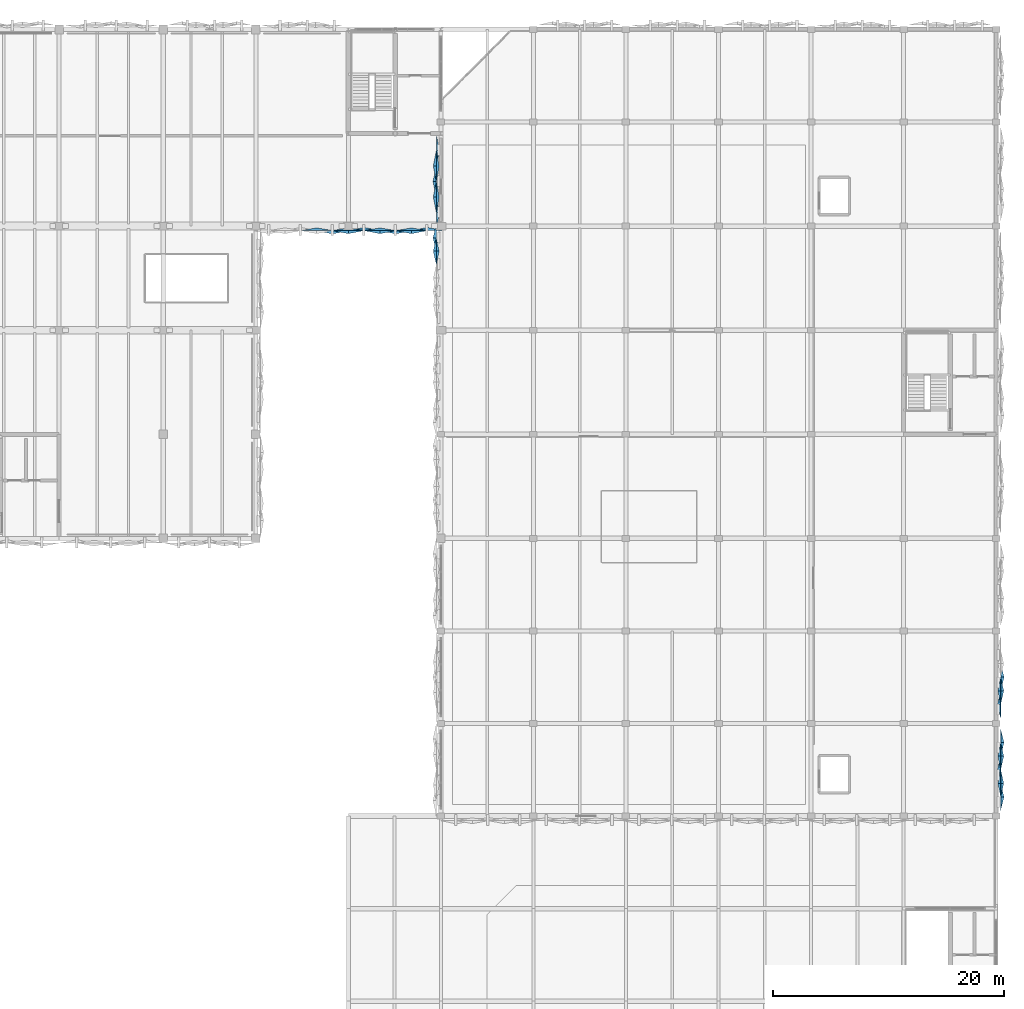
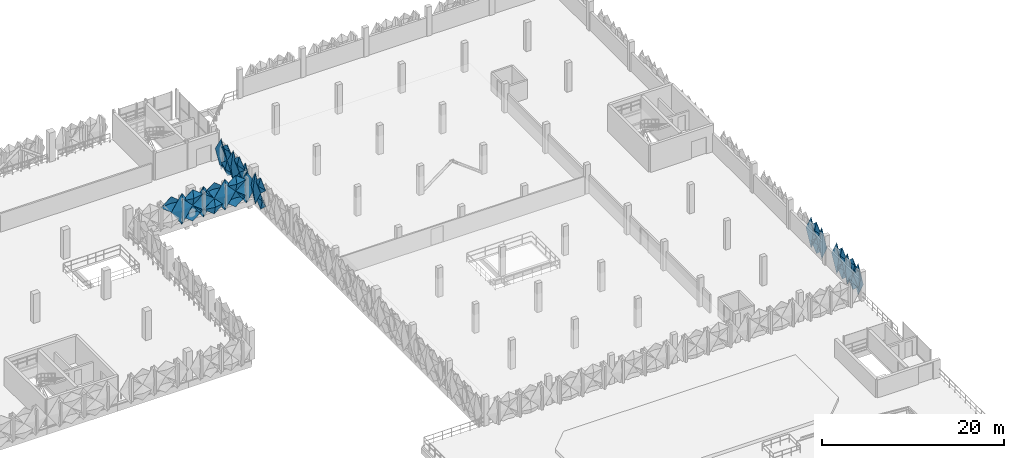
# One storey, part 60 of 76: 32 plates.
"""IFC4 building model written with IfcOpenShell, lengths in metres."""

from ifc_helpers import new_model, si_unit, derived_unit, direction, frame, origin, place, context, subcontext, project, spatial, polygons, material, layer, layer_set, type_object, element, save


model = new_model("IFC4")

# Units and contexts
model_context = context("Model", 3, precision=1e-05, world=origin(), true_north=direction((0.0, 1.0)))
body_context = subcontext(model_context, "Body", "Model", "MODEL_VIEW")
ifc_project = project(units=[si_unit("LENGTHUNIT", "METRE"), si_unit("AREAUNIT", "SQUARE_METRE"), si_unit("VOLUMEUNIT", "CUBIC_METRE"), si_unit("PLANEANGLEUNIT", "RADIAN"), si_unit("MASSUNIT", "GRAM", prefix="KILO"), si_unit("THERMODYNAMICTEMPERATUREUNIT", "KELVIN"), derived_unit("THERMALTRANSMITTANCEUNIT", [(si_unit("POWERUNIT", "WATT"), 1), (si_unit("AREAUNIT", "SQUARE_METRE"), -1), (si_unit("THERMODYNAMICTEMPERATUREUNIT", "KELVIN"), -1)])], contexts=[model_context])

# Site, building, storey
site_placement = place(None, origin())
site = spatial("IfcSite", under=ifc_project, at=site_placement, CompositionType="ELEMENT")
building_placement = place(site_placement, origin())
building = spatial("IfcBuilding", under=site, at=building_placement, Name="Haiyu Intermodal Mobility Hub", CompositionType="ELEMENT")
storey_placement = place(building_placement, frame((0.0, 0.0, 17.300048828125)))
storey = spatial("IfcBuildingStorey", under=building, at=storey_placement, Name="L04", CompositionType="ELEMENT", Elevation=17.300048828125)

# Plates
ifc_material = material(Name="Anodised aluminium 6063-T6", Category="aluminium")
ifc_layer_1 = layer(ifc_material, 0.01806640625)
ifc_layer_set_1 = layer_set([ifc_layer_1], Name="Anodised aluminium 6063-T6")
plate_type_1 = type_object("IfcPlateType", Name="PLT-FC01", PredefinedType="USERDEFINED", material=ifc_layer_set_1)
plate_1_placement = place(storey_placement, origin())
element("IfcPlate", 1, at=plate_1_placement, inside=storey, type_object=plate_type_1, Name="PLT-PYR-1274", ObjectType="FACADE CASSETTE", PredefinedType="USERDEFINED", context=body_context, shape_type="Tessellation", body=[
    polygons([(210.39990234375, 81.653076171875, -0.510009765625), (210.39990234375, 82.806884765625, 1.599853515625), (210.39990234375, 81.653076171875, 3.7099609375), (210.39990234375, 80.5, 1.599853515625), (210.679931640625, 81.653076171875, 1.599853515625), (210.3779296875, 81.653076171875, -0.510009765625), (210.3779296875, 82.806884765625, 1.599853515625), (210.3779296875, 81.653076171875, 3.7099609375), (210.3779296875, 80.5, 1.599853515625), (210.657958984375, 81.653076171875, 1.599853515625)], [[[1, 2, 5]], [[2, 3, 5]], [[3, 4, 5]], [[4, 1, 5]], [[7, 6, 10]], [[8, 7, 10]], [[9, 8, 10]], [[6, 9, 10]], [[1, 6, 7, 2]], [[2, 7, 8, 3]], [[3, 8, 9, 4]], [[4, 9, 6, 1]]], closed=True),
])
plate_2_placement = place(storey_placement, origin())
element("IfcPlate", 2, at=plate_2_placement, inside=storey, type_object=plate_type_1, Name="PLT-PYR-1278", ObjectType="FACADE CASSETTE", PredefinedType="USERDEFINED", context=body_context, shape_type="Tessellation", body=[
    polygons([(210.39990234375, 85.173095703125, -0.52001953125), (210.39990234375, 86.326904296875, 0.530029296875), (210.39990234375, 85.173095703125, 1.579833984375), (210.39990234375, 84.02001953125, 0.530029296875), (210.659912109375, 85.173095703125, 0.530029296875), (210.3779296875, 85.173095703125, -0.52001953125), (210.3779296875, 86.326904296875, 0.530029296875), (210.3779296875, 85.173095703125, 1.579833984375), (210.3779296875, 84.02001953125, 0.530029296875), (210.637939453125, 85.173095703125, 0.530029296875)], [[[1, 2, 5]], [[2, 3, 5]], [[3, 4, 5]], [[4, 1, 5]], [[7, 6, 10]], [[8, 7, 10]], [[9, 8, 10]], [[6, 9, 10]], [[1, 6, 7, 2]], [[2, 7, 8, 3]], [[3, 8, 9, 4]], [[4, 9, 6, 1]]], closed=True),
])
plate_3_placement = place(storey_placement, origin())
element("IfcPlate", 3, at=plate_3_placement, inside=storey, type_object=plate_type_1, Name="PLT-PYR-1282", ObjectType="FACADE CASSETTE", PredefinedType="USERDEFINED", context=body_context, shape_type="Tessellation", body=[
    polygons([(210.39990234375, 90.826904296875, -0.52001953125), (210.39990234375, 91.97998046875, 0.530029296875), (210.39990234375, 90.826904296875, 1.579833984375), (210.39990234375, 89.673095703125, 0.530029296875), (210.659912109375, 90.826904296875, 0.530029296875), (210.3779296875, 90.826904296875, -0.52001953125), (210.3779296875, 91.97998046875, 0.530029296875), (210.3779296875, 90.826904296875, 1.579833984375), (210.3779296875, 89.673095703125, 0.530029296875), (210.637939453125, 90.826904296875, 0.530029296875)], [[[1, 2, 5]], [[2, 3, 5]], [[3, 4, 5]], [[4, 1, 5]], [[7, 6, 10]], [[8, 7, 10]], [[9, 8, 10]], [[6, 9, 10]], [[1, 6, 7, 2]], [[2, 7, 8, 3]], [[3, 8, 9, 4]], [[4, 9, 6, 1]]], closed=True),
])
plate_4_placement = place(storey_placement, origin())
element("IfcPlate", 4, at=plate_4_placement, inside=storey, type_object=plate_type_1, Name="PLT-PYR-2002", ObjectType="FACADE CASSETTE", PredefinedType="USERDEFINED", context=body_context, shape_type="Tessellation", body=[
    polygons([(161.60009765625, 129.988037109375, -0.510009765625), (161.60009765625, 128.844970703125, 1.599853515625), (161.60009765625, 129.988037109375, 3.7099609375), (161.60009765625, 131.1298828125, 1.599853515625), (161.320068359375, 129.988037109375, 1.599853515625), (161.6220703125, 129.988037109375, -0.510009765625), (161.6220703125, 128.844970703125, 1.599853515625), (161.6220703125, 129.988037109375, 3.7099609375), (161.6220703125, 131.1298828125, 1.599853515625), (161.342041015625, 129.988037109375, 1.599853515625)], [[[1, 2, 5]], [[2, 3, 5]], [[3, 4, 5]], [[4, 1, 5]], [[7, 6, 10]], [[8, 7, 10]], [[9, 8, 10]], [[6, 9, 10]], [[1, 6, 7, 2]], [[2, 7, 8, 3]], [[3, 8, 9, 4]], [[4, 9, 6, 1]]], closed=True),
])
plate_5_placement = place(storey_placement, origin())
element("IfcPlate", 5, at=plate_5_placement, inside=storey, type_object=plate_type_1, Name="PLT-PYR-2013", ObjectType="FACADE CASSETTE", PredefinedType="USERDEFINED", context=body_context, shape_type="Tessellation", body=[
    polygons([(161.60009765625, 136.18310546875, -0.52001953125), (161.60009765625, 134.8701171875, 0.530029296875), (161.60009765625, 136.18310546875, 1.579833984375), (161.60009765625, 137.4970703125, 0.530029296875), (161.340087890625, 136.18310546875, 0.530029296875), (161.6220703125, 136.18310546875, -0.52001953125), (161.6220703125, 134.8701171875, 0.530029296875), (161.6220703125, 136.18310546875, 1.579833984375), (161.6220703125, 137.4970703125, 0.530029296875), (161.362060546875, 136.18310546875, 0.530029296875)], [[[1, 2, 5]], [[2, 3, 5]], [[3, 4, 5]], [[4, 1, 5]], [[7, 6, 10]], [[8, 7, 10]], [[9, 8, 10]], [[6, 9, 10]], [[1, 6, 7, 2]], [[2, 7, 8, 3]], [[3, 8, 9, 4]], [[4, 9, 6, 1]]], closed=True),
])
plate_6_placement = place(storey_placement, origin())
element("IfcPlate", 6, at=plate_6_placement, inside=storey, type_object=plate_type_1, Name="PLT-PYR-2413", ObjectType="FACADE CASSETTE", PredefinedType="USERDEFINED", context=body_context, shape_type="Tessellation", body=[
    polygons([(156.73291015625, 130.60009765625, -0.52001953125), (158.080078125, 130.60009765625, 0.530029296875), (156.73291015625, 130.60009765625, 1.579833984375), (155.386962890625, 130.60009765625, 0.530029296875), (156.73291015625, 130.340087890625, 0.530029296875), (156.73291015625, 130.6220703125, -0.52001953125), (158.080078125, 130.6220703125, 0.530029296875), (156.73291015625, 130.6220703125, 1.579833984375), (155.386962890625, 130.6220703125, 0.530029296875), (156.73291015625, 130.362060546875, 0.530029296875)], [[[1, 2, 5]], [[2, 3, 5]], [[3, 4, 5]], [[4, 1, 5]], [[7, 6, 10]], [[8, 7, 10]], [[9, 8, 10]], [[6, 9, 10]], [[1, 6, 7, 2]], [[2, 7, 8, 3]], [[3, 8, 9, 4]], [[4, 9, 6, 1]]], closed=True),
])
plate_7_placement = place(storey_placement, origin())
element("IfcPlate", 7, at=plate_7_placement, inside=storey, type_object=plate_type_1, Name="PLT-PYR-2415", ObjectType="FACADE CASSETTE", PredefinedType="USERDEFINED", context=body_context, shape_type="Tessellation", body=[
    polygons([(158.10009765625, 130.60009765625, -0.510009765625), (159.447021484375, 130.60009765625, 1.599853515625), (158.10009765625, 130.60009765625, 3.7099609375), (156.7529296875, 130.60009765625, 1.599853515625), (158.10009765625, 130.320068359375, 1.599853515625), (158.10009765625, 130.6220703125, -0.510009765625), (159.447021484375, 130.6220703125, 1.599853515625), (158.10009765625, 130.6220703125, 3.7099609375), (156.7529296875, 130.6220703125, 1.599853515625), (158.10009765625, 130.342041015625, 1.599853515625)], [[[1, 2, 5]], [[2, 3, 5]], [[3, 4, 5]], [[4, 1, 5]], [[7, 6, 10]], [[8, 7, 10]], [[9, 8, 10]], [[6, 9, 10]], [[1, 6, 7, 2]], [[2, 7, 8, 3]], [[3, 8, 9, 4]], [[4, 9, 6, 1]]], closed=True),
])
ifc_layer_2 = layer(ifc_material, 0.02001953125)
ifc_layer_set_2 = layer_set([ifc_layer_2], Name="Anodised aluminium 6063-T6")
plate_type_2 = type_object("IfcPlateType", Name="PLT-FC02", PredefinedType="USERDEFINED", material=ifc_layer_set_2)
plate_8_placement = place(storey_placement, origin())
element("IfcPlate", 8, at=plate_8_placement, inside=storey, type_object=plate_type_2, Name="PLT-PYR-1275", ObjectType="FACADE CASSETTE", PredefinedType="USERDEFINED", context=body_context, shape_type="Tessellation", body=[
    polygons([(210.39990234375, 82.826904296875, -0.52001953125), (210.39990234375, 83.97998046875, 0.530029296875), (210.39990234375, 82.826904296875, 1.579833984375), (210.39990234375, 81.673095703125, 0.530029296875), (210.179931640625, 82.826904296875, 0.530029296875), (210.3779296875, 82.826904296875, -0.52001953125), (210.3779296875, 83.97998046875, 0.530029296875), (210.3779296875, 82.826904296875, 1.579833984375), (210.3779296875, 81.673095703125, 0.530029296875), (210.157958984375, 82.826904296875, 0.530029296875)], [[[1, 2, 5]], [[2, 3, 5]], [[3, 4, 5]], [[4, 1, 5]], [[7, 6, 10]], [[8, 7, 10]], [[9, 8, 10]], [[6, 9, 10]], [[1, 6, 7, 2]], [[2, 7, 8, 3]], [[3, 8, 9, 4]], [[4, 9, 6, 1]]], closed=True),
])
plate_9_placement = place(storey_placement, origin())
element("IfcPlate", 9, at=plate_9_placement, inside=storey, type_object=plate_type_2, Name="PLT-PYR-1281", ObjectType="FACADE CASSETTE", PredefinedType="USERDEFINED", context=body_context, shape_type="Tessellation", body=[
    polygons([(210.39990234375, 89.653076171875, -0.510009765625), (210.39990234375, 90.806884765625, 1.599853515625), (210.39990234375, 89.653076171875, 3.7099609375), (210.39990234375, 88.5, 1.599853515625), (210.139892578125, 89.653076171875, 1.599853515625), (210.3779296875, 89.653076171875, -0.510009765625), (210.3779296875, 90.806884765625, 1.599853515625), (210.3779296875, 89.653076171875, 3.7099609375), (210.3779296875, 88.5, 1.599853515625), (210.117919921875, 89.653076171875, 1.599853515625)], [[[1, 2, 5]], [[2, 3, 5]], [[3, 4, 5]], [[4, 1, 5]], [[7, 6, 10]], [[8, 7, 10]], [[9, 8, 10]], [[6, 9, 10]], [[1, 6, 7, 2]], [[2, 7, 8, 3]], [[3, 8, 9, 4]], [[4, 9, 6, 1]]], closed=True),
])
plate_10_placement = place(storey_placement, origin())
element("IfcPlate", 10, at=plate_10_placement, inside=storey, type_object=plate_type_2, Name="PLT-PYR-2003", ObjectType="FACADE CASSETTE", PredefinedType="USERDEFINED", context=body_context, shape_type="Tessellation", body=[
    polygons([(161.60009765625, 128.824951171875, -0.52001953125), (161.60009765625, 127.681884765625, 0.530029296875), (161.60009765625, 128.824951171875, 1.579833984375), (161.60009765625, 129.968017578125, 0.530029296875), (161.820068359375, 128.824951171875, 0.530029296875), (161.6220703125, 128.824951171875, -0.52001953125), (161.6220703125, 127.681884765625, 0.530029296875), (161.6220703125, 128.824951171875, 1.579833984375), (161.6220703125, 129.968017578125, 0.530029296875), (161.842041015625, 128.824951171875, 0.530029296875)], [[[1, 2, 5]], [[2, 3, 5]], [[3, 4, 5]], [[4, 1, 5]], [[7, 6, 10]], [[8, 7, 10]], [[9, 8, 10]], [[6, 9, 10]], [[1, 6, 7, 2]], [[2, 7, 8, 3]], [[3, 8, 9, 4]], [[4, 9, 6, 1]]], closed=True),
])
plate_11_placement = place(storey_placement, origin())
element("IfcPlate", 11, at=plate_11_placement, inside=storey, type_object=plate_type_2, Name="PLT-PYR-2012", ObjectType="FACADE CASSETTE", PredefinedType="USERDEFINED", context=body_context, shape_type="Tessellation", body=[
    polygons([(161.60009765625, 137.51708984375, -0.510009765625), (161.60009765625, 136.202880859375, 1.599853515625), (161.60009765625, 137.51708984375, 3.7099609375), (161.60009765625, 138.830078125, 1.599853515625), (161.860107421875, 137.51708984375, 1.599853515625), (161.6220703125, 137.51708984375, -0.510009765625), (161.6220703125, 136.202880859375, 1.599853515625), (161.6220703125, 137.51708984375, 3.7099609375), (161.6220703125, 138.830078125, 1.599853515625), (161.882080078125, 137.51708984375, 1.599853515625)], [[[1, 2, 5]], [[2, 3, 5]], [[3, 4, 5]], [[4, 1, 5]], [[7, 6, 10]], [[8, 7, 10]], [[9, 8, 10]], [[6, 9, 10]], [[1, 6, 7, 2]], [[2, 7, 8, 3]], [[3, 8, 9, 4]], [[4, 9, 6, 1]]], closed=True),
])
plate_12_placement = place(storey_placement, origin())
element("IfcPlate", 12, at=plate_12_placement, inside=storey, type_object=plate_type_2, Name="PLT-PYR-2016", ObjectType="FACADE CASSETTE", PredefinedType="USERDEFINED", context=body_context, shape_type="Tessellation", body=[
    polygons([(161.60009765625, 133.51708984375, -0.52001953125), (161.60009765625, 132.202880859375, 0.530029296875), (161.60009765625, 133.51708984375, 1.579833984375), (161.60009765625, 134.830078125, 0.530029296875), (161.820068359375, 133.51708984375, 0.530029296875), (161.6220703125, 133.51708984375, -0.52001953125), (161.6220703125, 132.202880859375, 0.530029296875), (161.6220703125, 133.51708984375, 1.579833984375), (161.6220703125, 134.830078125, 0.530029296875), (161.842041015625, 133.51708984375, 0.530029296875)], [[[1, 2, 5]], [[2, 3, 5]], [[3, 4, 5]], [[4, 1, 5]], [[7, 6, 10]], [[8, 7, 10]], [[9, 8, 10]], [[6, 9, 10]], [[1, 6, 7, 2]], [[2, 7, 8, 3]], [[3, 8, 9, 4]], [[4, 9, 6, 1]]], closed=True),
])
plate_13_placement = place(storey_placement, origin())
element("IfcPlate", 13, at=plate_13_placement, inside=storey, type_object=plate_type_2, Name="PLT-PYR-2410", ObjectType="FACADE CASSETTE", PredefinedType="USERDEFINED", context=body_context, shape_type="Tessellation", body=[
    polygons([(154.0, 130.60009765625, -0.52001953125), (155.346923828125, 130.60009765625, 0.530029296875), (154.0, 130.60009765625, 1.579833984375), (152.653076171875, 130.60009765625, 0.530029296875), (154.0, 130.820068359375, 0.530029296875), (154.0, 130.6220703125, -0.52001953125), (155.346923828125, 130.6220703125, 0.530029296875), (154.0, 130.6220703125, 1.579833984375), (152.653076171875, 130.6220703125, 0.530029296875), (154.0, 130.842041015625, 0.530029296875)], [[[1, 2, 5]], [[2, 3, 5]], [[3, 4, 5]], [[4, 1, 5]], [[7, 6, 10]], [[8, 7, 10]], [[9, 8, 10]], [[6, 9, 10]], [[1, 6, 7, 2]], [[2, 7, 8, 3]], [[3, 8, 9, 4]], [[4, 9, 6, 1]]], closed=True),
])
plate_14_placement = place(storey_placement, origin())
element("IfcPlate", 14, at=plate_14_placement, inside=storey, type_object=plate_type_2, Name="PLT-PYR-2416", ObjectType="FACADE CASSETTE", PredefinedType="USERDEFINED", context=body_context, shape_type="Tessellation", body=[
    polygons([(159.467041015625, 130.60009765625, -0.52001953125), (160.81298828125, 130.60009765625, 0.530029296875), (159.467041015625, 130.60009765625, 1.579833984375), (158.1201171875, 130.60009765625, 0.530029296875), (159.467041015625, 130.820068359375, 0.530029296875), (159.467041015625, 130.6220703125, -0.52001953125), (160.81298828125, 130.6220703125, 0.530029296875), (159.467041015625, 130.6220703125, 1.579833984375), (158.1201171875, 130.6220703125, 0.530029296875), (159.467041015625, 130.842041015625, 0.530029296875)], [[[1, 2, 5]], [[2, 3, 5]], [[3, 4, 5]], [[4, 1, 5]], [[7, 6, 10]], [[8, 7, 10]], [[9, 8, 10]], [[6, 9, 10]], [[1, 6, 7, 2]], [[2, 7, 8, 3]], [[3, 8, 9, 4]], [[4, 9, 6, 1]]], closed=True),
])
ifc_layer_3 = layer(ifc_material, 0.01806640625)
ifc_layer_set_3 = layer_set([ifc_layer_3], Name="Anodised aluminium 6063-T6")
plate_type_3 = type_object("IfcPlateType", Name="PLT-FC03", PredefinedType="USERDEFINED", material=ifc_layer_set_3)
plate_15_placement = place(storey_placement, origin())
element("IfcPlate", 15, at=plate_15_placement, inside=storey, type_object=plate_type_3, Name="PLT-PYR-1276", ObjectType="FACADE CASSETTE", PredefinedType="USERDEFINED", context=body_context, shape_type="Tessellation", body=[
    polygons([(210.39990234375, 82.826904296875, 1.619873046875), (210.39990234375, 83.97998046875, 2.669921875), (210.39990234375, 82.826904296875, 3.719970703125), (210.39990234375, 81.673095703125, 2.669921875), (210.659912109375, 82.826904296875, 2.669921875), (210.3779296875, 82.826904296875, 1.619873046875), (210.3779296875, 83.97998046875, 2.669921875), (210.3779296875, 82.826904296875, 3.719970703125), (210.3779296875, 81.673095703125, 2.669921875), (210.637939453125, 82.826904296875, 2.669921875)], [[[1, 2, 5]], [[2, 3, 5]], [[3, 4, 5]], [[4, 1, 5]], [[7, 6, 10]], [[8, 7, 10]], [[9, 8, 10]], [[6, 9, 10]], [[1, 6, 7, 2]], [[2, 7, 8, 3]], [[3, 8, 9, 4]], [[4, 9, 6, 1]]], closed=True),
])
plate_16_placement = place(storey_placement, origin())
element("IfcPlate", 16, at=plate_16_placement, inside=storey, type_object=plate_type_3, Name="PLT-PYR-1284", ObjectType="FACADE CASSETTE", PredefinedType="USERDEFINED", context=body_context, shape_type="Tessellation", body=[
    polygons([(210.39990234375, 92.0, -0.510009765625), (210.39990234375, 93.153076171875, 1.599853515625), (210.39990234375, 92.0, 3.7099609375), (210.39990234375, 90.846923828125, 1.599853515625), (210.679931640625, 92.0, 1.599853515625), (210.3779296875, 92.0, -0.510009765625), (210.3779296875, 93.153076171875, 1.599853515625), (210.3779296875, 92.0, 3.7099609375), (210.3779296875, 90.846923828125, 1.599853515625), (210.657958984375, 92.0, 1.599853515625)], [[[1, 2, 5]], [[2, 3, 5]], [[3, 4, 5]], [[4, 1, 5]], [[7, 6, 10]], [[8, 7, 10]], [[9, 8, 10]], [[6, 9, 10]], [[1, 6, 7, 2]], [[2, 7, 8, 3]], [[3, 8, 9, 4]], [[4, 9, 6, 1]]], closed=True),
])
plate_17_placement = place(storey_placement, origin())
element("IfcPlate", 17, at=plate_17_placement, inside=storey, type_object=plate_type_3, Name="PLT-PYR-2004", ObjectType="FACADE CASSETTE", PredefinedType="USERDEFINED", context=body_context, shape_type="Tessellation", body=[
    polygons([(161.60009765625, 128.824951171875, 1.619873046875), (161.60009765625, 127.681884765625, 2.669921875), (161.60009765625, 128.824951171875, 3.719970703125), (161.60009765625, 129.968017578125, 2.669921875), (161.340087890625, 128.824951171875, 2.669921875), (161.6220703125, 128.824951171875, 1.619873046875), (161.6220703125, 127.681884765625, 2.669921875), (161.6220703125, 128.824951171875, 3.719970703125), (161.6220703125, 129.968017578125, 2.669921875), (161.362060546875, 128.824951171875, 2.669921875)], [[[1, 2, 5]], [[2, 3, 5]], [[3, 4, 5]], [[4, 1, 5]], [[7, 6, 10]], [[8, 7, 10]], [[9, 8, 10]], [[6, 9, 10]], [[1, 6, 7, 2]], [[2, 7, 8, 3]], [[3, 8, 9, 4]], [[4, 9, 6, 1]]], closed=True),
])
plate_18_placement = place(storey_placement, origin())
element("IfcPlate", 18, at=plate_18_placement, inside=storey, type_object=plate_type_3, Name="PLT-PYR-2015", ObjectType="FACADE CASSETTE", PredefinedType="USERDEFINED", context=body_context, shape_type="Tessellation", body=[
    polygons([(161.60009765625, 134.85009765625, -0.510009765625), (161.60009765625, 133.537109375, 1.599853515625), (161.60009765625, 134.85009765625, 3.7099609375), (161.60009765625, 136.1630859375, 1.599853515625), (161.320068359375, 134.85009765625, 1.599853515625), (161.6220703125, 134.85009765625, -0.510009765625), (161.6220703125, 133.537109375, 1.599853515625), (161.6220703125, 134.85009765625, 3.7099609375), (161.6220703125, 136.1630859375, 1.599853515625), (161.342041015625, 134.85009765625, 1.599853515625)], [[[1, 2, 5]], [[2, 3, 5]], [[3, 4, 5]], [[4, 1, 5]], [[7, 6, 10]], [[8, 7, 10]], [[9, 8, 10]], [[6, 9, 10]], [[1, 6, 7, 2]], [[2, 7, 8, 3]], [[3, 8, 9, 4]], [[4, 9, 6, 1]]], closed=True),
])
plate_19_placement = place(storey_placement, origin())
element("IfcPlate", 19, at=plate_19_placement, inside=storey, type_object=plate_type_3, Name="PLT-PYR-2017", ObjectType="FACADE CASSETTE", PredefinedType="USERDEFINED", context=body_context, shape_type="Tessellation", body=[
    polygons([(161.60009765625, 133.51708984375, 1.619873046875), (161.60009765625, 132.202880859375, 2.669921875), (161.60009765625, 133.51708984375, 3.719970703125), (161.60009765625, 134.830078125, 2.669921875), (161.340087890625, 133.51708984375, 2.669921875), (161.6220703125, 133.51708984375, 1.619873046875), (161.6220703125, 132.202880859375, 2.669921875), (161.6220703125, 133.51708984375, 3.719970703125), (161.6220703125, 134.830078125, 2.669921875), (161.362060546875, 133.51708984375, 2.669921875)], [[[1, 2, 5]], [[2, 3, 5]], [[3, 4, 5]], [[4, 1, 5]], [[7, 6, 10]], [[8, 7, 10]], [[9, 8, 10]], [[6, 9, 10]], [[1, 6, 7, 2]], [[2, 7, 8, 3]], [[3, 8, 9, 4]], [[4, 9, 6, 1]]], closed=True),
])
plate_20_placement = place(storey_placement, origin())
element("IfcPlate", 20, at=plate_20_placement, inside=storey, type_object=plate_type_3, Name="PLT-PYR-2411", ObjectType="FACADE CASSETTE", PredefinedType="USERDEFINED", context=body_context, shape_type="Tessellation", body=[
    polygons([(154.0, 130.60009765625, 1.619873046875), (155.346923828125, 130.60009765625, 2.669921875), (154.0, 130.60009765625, 3.719970703125), (152.653076171875, 130.60009765625, 2.669921875), (154.0, 130.340087890625, 2.669921875), (154.0, 130.6220703125, 1.619873046875), (155.346923828125, 130.6220703125, 2.669921875), (154.0, 130.6220703125, 3.719970703125), (152.653076171875, 130.6220703125, 2.669921875), (154.0, 130.362060546875, 2.669921875)], [[[1, 2, 5]], [[2, 3, 5]], [[3, 4, 5]], [[4, 1, 5]], [[7, 6, 10]], [[8, 7, 10]], [[9, 8, 10]], [[6, 9, 10]], [[1, 6, 7, 2]], [[2, 7, 8, 3]], [[3, 8, 9, 4]], [[4, 9, 6, 1]]], closed=True),
])
plate_21_placement = place(storey_placement, origin())
element("IfcPlate", 21, at=plate_21_placement, inside=storey, type_object=plate_type_3, Name="PLT-PYR-2417", ObjectType="FACADE CASSETTE", PredefinedType="USERDEFINED", context=body_context, shape_type="Tessellation", body=[
    polygons([(159.467041015625, 130.60009765625, 1.619873046875), (160.81298828125, 130.60009765625, 2.669921875), (159.467041015625, 130.60009765625, 3.719970703125), (158.1201171875, 130.60009765625, 2.669921875), (159.467041015625, 130.340087890625, 2.669921875), (159.467041015625, 130.6220703125, 1.619873046875), (160.81298828125, 130.6220703125, 2.669921875), (159.467041015625, 130.6220703125, 3.719970703125), (158.1201171875, 130.6220703125, 2.669921875), (159.467041015625, 130.362060546875, 2.669921875)], [[[1, 2, 5]], [[2, 3, 5]], [[3, 4, 5]], [[4, 1, 5]], [[7, 6, 10]], [[8, 7, 10]], [[9, 8, 10]], [[6, 9, 10]], [[1, 6, 7, 2]], [[2, 7, 8, 3]], [[3, 8, 9, 4]], [[4, 9, 6, 1]]], closed=True),
])
ifc_layer_4 = layer(ifc_material, 0.02001953125)
ifc_layer_set_4 = layer_set([ifc_layer_4], Name="Anodised aluminium 6063-T6")
plate_type_4 = type_object("IfcPlateType", Name="PLT-FC04", PredefinedType="USERDEFINED", material=ifc_layer_set_4)
plate_22_placement = place(storey_placement, origin())
element("IfcPlate", 22, at=plate_22_placement, inside=storey, type_object=plate_type_4, Name="PLT-PYR-1277", ObjectType="FACADE CASSETTE", PredefinedType="USERDEFINED", context=body_context, shape_type="Tessellation", body=[
    polygons([(210.39990234375, 84.0, -0.510009765625), (210.39990234375, 85.153076171875, 1.599853515625), (210.39990234375, 84.0, 3.7099609375), (210.39990234375, 82.846923828125, 1.599853515625), (210.139892578125, 84.0, 1.599853515625), (210.3779296875, 84.0, -0.510009765625), (210.3779296875, 85.153076171875, 1.599853515625), (210.3779296875, 84.0, 3.7099609375), (210.3779296875, 82.846923828125, 1.599853515625), (210.117919921875, 84.0, 1.599853515625)], [[[1, 2, 5]], [[2, 3, 5]], [[3, 4, 5]], [[4, 1, 5]], [[7, 6, 10]], [[8, 7, 10]], [[9, 8, 10]], [[6, 9, 10]], [[1, 6, 7, 2]], [[2, 7, 8, 3]], [[3, 8, 9, 4]], [[4, 9, 6, 1]]], closed=True),
])
plate_23_placement = place(storey_placement, origin())
element("IfcPlate", 23, at=plate_23_placement, inside=storey, type_object=plate_type_4, Name="PLT-PYR-1279", ObjectType="FACADE CASSETTE", PredefinedType="USERDEFINED", context=body_context, shape_type="Tessellation", body=[
    polygons([(210.39990234375, 85.173095703125, 1.619873046875), (210.39990234375, 86.326904296875, 2.669921875), (210.39990234375, 85.173095703125, 3.719970703125), (210.39990234375, 84.02001953125, 2.669921875), (210.179931640625, 85.173095703125, 2.669921875), (210.3779296875, 85.173095703125, 1.619873046875), (210.3779296875, 86.326904296875, 2.669921875), (210.3779296875, 85.173095703125, 3.719970703125), (210.3779296875, 84.02001953125, 2.669921875), (210.157958984375, 85.173095703125, 2.669921875)], [[[1, 2, 5]], [[2, 3, 5]], [[3, 4, 5]], [[4, 1, 5]], [[7, 6, 10]], [[8, 7, 10]], [[9, 8, 10]], [[6, 9, 10]], [[1, 6, 7, 2]], [[2, 7, 8, 3]], [[3, 8, 9, 4]], [[4, 9, 6, 1]]], closed=True),
])
plate_24_placement = place(storey_placement, origin())
element("IfcPlate", 24, at=plate_24_placement, inside=storey, type_object=plate_type_4, Name="PLT-PYR-1283", ObjectType="FACADE CASSETTE", PredefinedType="USERDEFINED", context=body_context, shape_type="Tessellation", body=[
    polygons([(210.39990234375, 90.826904296875, 1.619873046875), (210.39990234375, 91.97998046875, 2.669921875), (210.39990234375, 90.826904296875, 3.719970703125), (210.39990234375, 89.673095703125, 2.669921875), (210.179931640625, 90.826904296875, 2.669921875), (210.3779296875, 90.826904296875, 1.619873046875), (210.3779296875, 91.97998046875, 2.669921875), (210.3779296875, 90.826904296875, 3.719970703125), (210.3779296875, 89.673095703125, 2.669921875), (210.157958984375, 90.826904296875, 2.669921875)], [[[1, 2, 5]], [[2, 3, 5]], [[3, 4, 5]], [[4, 1, 5]], [[7, 6, 10]], [[8, 7, 10]], [[9, 8, 10]], [[6, 9, 10]], [[1, 6, 7, 2]], [[2, 7, 8, 3]], [[3, 8, 9, 4]], [[4, 9, 6, 1]]], closed=True),
])
plate_25_placement = place(storey_placement, origin())
element("IfcPlate", 25, at=plate_25_placement, inside=storey, type_object=plate_type_4, Name="PLT-PYR-2014", ObjectType="FACADE CASSETTE", PredefinedType="USERDEFINED", context=body_context, shape_type="Tessellation", body=[
    polygons([(161.60009765625, 136.18310546875, 1.619873046875), (161.60009765625, 134.8701171875, 2.669921875), (161.60009765625, 136.18310546875, 3.719970703125), (161.60009765625, 137.4970703125, 2.669921875), (161.820068359375, 136.18310546875, 2.669921875), (161.6220703125, 136.18310546875, 1.619873046875), (161.6220703125, 134.8701171875, 2.669921875), (161.6220703125, 136.18310546875, 3.719970703125), (161.6220703125, 137.4970703125, 2.669921875), (161.842041015625, 136.18310546875, 2.669921875)], [[[1, 2, 5]], [[2, 3, 5]], [[3, 4, 5]], [[4, 1, 5]], [[7, 6, 10]], [[8, 7, 10]], [[9, 8, 10]], [[6, 9, 10]], [[1, 6, 7, 2]], [[2, 7, 8, 3]], [[3, 8, 9, 4]], [[4, 9, 6, 1]]], closed=True),
])
plate_26_placement = place(storey_placement, origin())
element("IfcPlate", 26, at=plate_26_placement, inside=storey, type_object=plate_type_4, Name="PLT-PYR-2408", ObjectType="FACADE CASSETTE", PredefinedType="USERDEFINED", context=body_context, shape_type="Tessellation", body=[
    polygons([(151.26708984375, 130.60009765625, 1.619873046875), (152.613037109375, 130.60009765625, 2.669921875), (151.26708984375, 130.60009765625, 3.719970703125), (149.919921875, 130.60009765625, 2.669921875), (151.26708984375, 130.820068359375, 2.669921875), (151.26708984375, 130.6220703125, 1.619873046875), (152.613037109375, 130.6220703125, 2.669921875), (151.26708984375, 130.6220703125, 3.719970703125), (149.919921875, 130.6220703125, 2.669921875), (151.26708984375, 130.842041015625, 2.669921875)], [[[1, 2, 5]], [[2, 3, 5]], [[3, 4, 5]], [[4, 1, 5]], [[7, 6, 10]], [[8, 7, 10]], [[9, 8, 10]], [[6, 9, 10]], [[1, 6, 7, 2]], [[2, 7, 8, 3]], [[3, 8, 9, 4]], [[4, 9, 6, 1]]], closed=True),
])
plate_27_placement = place(storey_placement, origin())
element("IfcPlate", 27, at=plate_27_placement, inside=storey, type_object=plate_type_4, Name="PLT-PYR-2414", ObjectType="FACADE CASSETTE", PredefinedType="USERDEFINED", context=body_context, shape_type="Tessellation", body=[
    polygons([(156.73291015625, 130.60009765625, 1.619873046875), (158.080078125, 130.60009765625, 2.669921875), (156.73291015625, 130.60009765625, 3.719970703125), (155.386962890625, 130.60009765625, 2.669921875), (156.73291015625, 130.820068359375, 2.669921875), (156.73291015625, 130.6220703125, 1.619873046875), (158.080078125, 130.6220703125, 2.669921875), (156.73291015625, 130.6220703125, 3.719970703125), (155.386962890625, 130.6220703125, 2.669921875), (156.73291015625, 130.842041015625, 2.669921875)], [[[1, 2, 5]], [[2, 3, 5]], [[3, 4, 5]], [[4, 1, 5]], [[7, 6, 10]], [[8, 7, 10]], [[9, 8, 10]], [[6, 9, 10]], [[1, 6, 7, 2]], [[2, 7, 8, 3]], [[3, 8, 9, 4]], [[4, 9, 6, 1]]], closed=True),
])
plate_28_placement = place(storey_placement, origin())
element("IfcPlate", 28, at=plate_28_placement, inside=storey, type_object=plate_type_4, Name="PLT-PYR-2418", ObjectType="FACADE CASSETTE", PredefinedType="USERDEFINED", context=body_context, shape_type="Tessellation", body=[
    polygons([(160.8330078125, 130.60009765625, -0.510009765625), (162.179931640625, 130.60009765625, 1.599853515625), (160.8330078125, 130.60009765625, 3.7099609375), (159.487060546875, 130.60009765625, 1.599853515625), (160.8330078125, 130.860107421875, 1.599853515625), (160.8330078125, 130.6220703125, -0.510009765625), (162.179931640625, 130.6220703125, 1.599853515625), (160.8330078125, 130.6220703125, 3.7099609375), (159.487060546875, 130.6220703125, 1.599853515625), (160.8330078125, 130.882080078125, 1.599853515625)], [[[1, 2, 5]], [[2, 3, 5]], [[3, 4, 5]], [[4, 1, 5]], [[7, 6, 10]], [[8, 7, 10]], [[9, 8, 10]], [[6, 9, 10]], [[1, 6, 7, 2]], [[2, 7, 8, 3]], [[3, 8, 9, 4]], [[4, 9, 6, 1]]], closed=True),
])
ifc_layer_5 = layer(ifc_material, 0.01806640625)
ifc_layer_set_5 = layer_set([ifc_layer_5], Name="Anodised aluminium 6063-T6")
plate_type_5 = type_object("IfcPlateType", Name="PLT-FC05", PredefinedType="USERDEFINED", material=ifc_layer_set_5)
plate_29_placement = place(storey_placement, origin())
element("IfcPlate", 29, at=plate_29_placement, inside=storey, type_object=plate_type_5, Name="PLT-PYR-1280", ObjectType="FACADE CASSETTE", PredefinedType="USERDEFINED", context=body_context, shape_type="Tessellation", body=[
    polygons([(210.39990234375, 86.346923828125, -0.510009765625), (210.39990234375, 87.5, 1.599853515625), (210.39990234375, 86.346923828125, 3.7099609375), (210.39990234375, 85.193115234375, 1.599853515625), (210.679931640625, 86.346923828125, 1.599853515625), (210.3779296875, 86.346923828125, -0.510009765625), (210.3779296875, 87.5, 1.599853515625), (210.3779296875, 86.346923828125, 3.7099609375), (210.3779296875, 85.193115234375, 1.599853515625), (210.657958984375, 86.346923828125, 1.599853515625)], [[[1, 2, 5]], [[2, 3, 5]], [[3, 4, 5]], [[4, 1, 5]], [[7, 6, 10]], [[8, 7, 10]], [[9, 8, 10]], [[6, 9, 10]], [[1, 6, 7, 2]], [[2, 7, 8, 3]], [[3, 8, 9, 4]], [[4, 9, 6, 1]]], closed=True),
])
plate_30_placement = place(storey_placement, origin())
element("IfcPlate", 30, at=plate_30_placement, inside=storey, type_object=plate_type_5, Name="PLT-PYR-2409", ObjectType="FACADE CASSETTE", PredefinedType="USERDEFINED", context=body_context, shape_type="Tessellation", body=[
    polygons([(152.633056640625, 130.60009765625, -0.510009765625), (153.97998046875, 130.60009765625, 1.599853515625), (152.633056640625, 130.60009765625, 3.7099609375), (151.287109375, 130.60009765625, 1.599853515625), (152.633056640625, 130.320068359375, 1.599853515625), (152.633056640625, 130.6220703125, -0.510009765625), (153.97998046875, 130.6220703125, 1.599853515625), (152.633056640625, 130.6220703125, 3.7099609375), (151.287109375, 130.6220703125, 1.599853515625), (152.633056640625, 130.342041015625, 1.599853515625)], [[[1, 2, 5]], [[2, 3, 5]], [[3, 4, 5]], [[4, 1, 5]], [[7, 6, 10]], [[8, 7, 10]], [[9, 8, 10]], [[6, 9, 10]], [[1, 6, 7, 2]], [[2, 7, 8, 3]], [[3, 8, 9, 4]], [[4, 9, 6, 1]]], closed=True),
])
ifc_layer_6 = layer(ifc_material, 0.02001953125)
ifc_layer_set_6 = layer_set([ifc_layer_6], Name="Anodised aluminium 6063-T6")
plate_type_6 = type_object("IfcPlateType", Name="PLT-FC06", PredefinedType="USERDEFINED", material=ifc_layer_set_6)
plate_31_placement = place(storey_placement, origin())
element("IfcPlate", 31, at=plate_31_placement, inside=storey, type_object=plate_type_6, Name="PLT-PYR-2018", ObjectType="FACADE CASSETTE", PredefinedType="USERDEFINED", context=body_context, shape_type="Tessellation", body=[
    polygons([(161.60009765625, 132.18310546875, -0.510009765625), (161.60009765625, 130.8701171875, 1.599853515625), (161.60009765625, 132.18310546875, 3.7099609375), (161.60009765625, 133.4970703125, 1.599853515625), (161.860107421875, 132.18310546875, 1.599853515625), (161.6220703125, 132.18310546875, -0.510009765625), (161.6220703125, 130.8701171875, 1.599853515625), (161.6220703125, 132.18310546875, 3.7099609375), (161.6220703125, 133.4970703125, 1.599853515625), (161.882080078125, 132.18310546875, 1.599853515625)], [[[1, 2, 5]], [[2, 3, 5]], [[3, 4, 5]], [[4, 1, 5]], [[7, 6, 10]], [[8, 7, 10]], [[9, 8, 10]], [[6, 9, 10]], [[1, 6, 7, 2]], [[2, 7, 8, 3]], [[3, 8, 9, 4]], [[4, 9, 6, 1]]], closed=True),
])
ifc_layer_7 = layer(ifc_material, 0.02392578125)
ifc_layer_set_7 = layer_set([ifc_layer_7], Name="Anodised aluminium 6063-T6")
plate_type_7 = type_object("IfcPlateType", Name="PLT-FC08", PredefinedType="USERDEFINED", material=ifc_layer_set_7)
plate_32_placement = place(storey_placement, origin())
element("IfcPlate", 32, at=plate_32_placement, inside=storey, type_object=plate_type_7, Name="PLT-PYR-2412", ObjectType="FACADE CASSETTE", PredefinedType="USERDEFINED", context=body_context, shape_type="Tessellation", body=[
    polygons([(155.366943359375, 130.60009765625, -0.510009765625), (156.712890625, 130.60009765625, 1.599853515625), (155.366943359375, 130.60009765625, 3.7099609375), (154.02001953125, 130.60009765625, 1.599853515625), (155.366943359375, 130.860107421875, 1.599853515625), (155.366943359375, 130.6220703125, -0.510009765625), (156.712890625, 130.6220703125, 1.599853515625), (155.366943359375, 130.6220703125, 3.7099609375), (154.02001953125, 130.6220703125, 1.599853515625), (155.366943359375, 130.882080078125, 1.599853515625)], [[[1, 2, 5]], [[2, 3, 5]], [[3, 4, 5]], [[4, 1, 5]], [[7, 6, 10]], [[8, 7, 10]], [[9, 8, 10]], [[6, 9, 10]], [[1, 6, 7, 2]], [[2, 7, 8, 3]], [[3, 8, 9, 4]], [[4, 9, 6, 1]]], closed=True),
])

save(model, "model.ifc")
